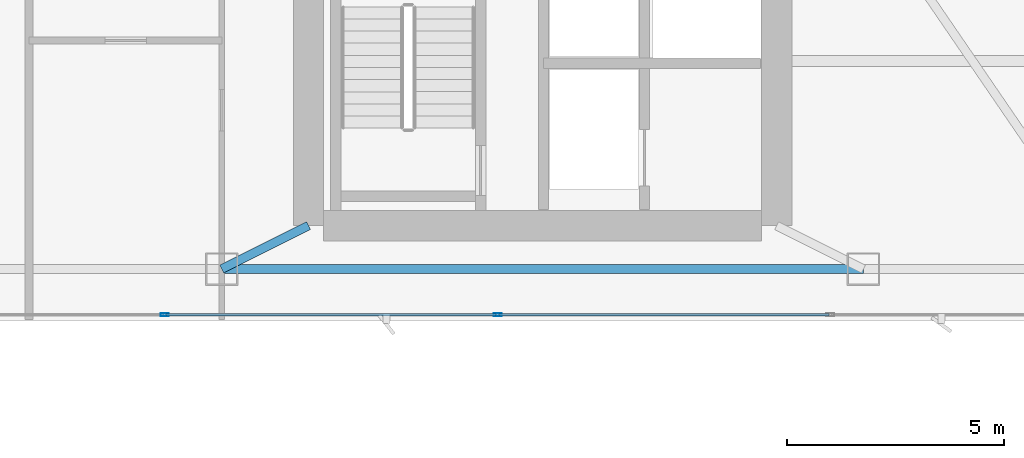
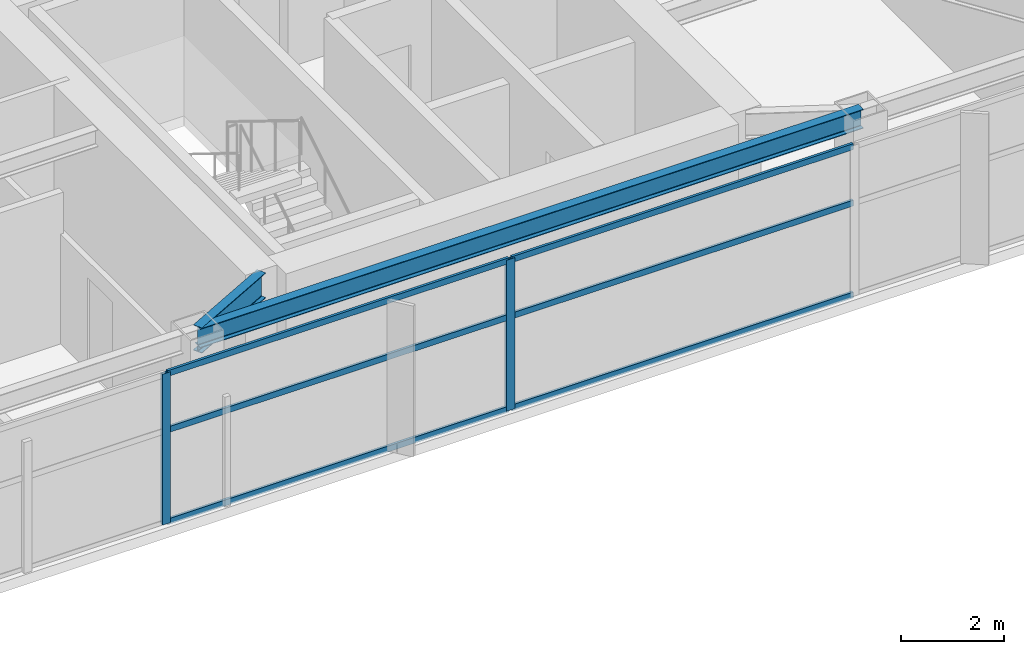
# One storey, part 6 of 29: 8 members, 2 beams, 1 element without a shape of its own.
"""IFC4 building model written with IfcOpenShell, lengths in metres."""

import ifcopenshell
import ifcopenshell.guid

model = None  # the IFC model being written
_history = None  # IfcOwnerHistory: only IFC2X3 demands one
_inside = {}  # id of a spatial element -> (the spatial element, [elements in it])
_under = {}  # id of a project, library or spatial element -> (it, [spatial elements below it])
_declared = {}  # id of a project -> (the project, [libraries it declares])
_typed = {}  # id of a type object -> (the type object, [elements of that type])
_made_of = {}  # id of a material, layer set ... -> (it, [elements and type objects made of it])


def new_model(schema):
    """Start an empty IFC model of exactly this schema.

    Asked for "IFC4X3", IfcOpenShell would pick the latest addendum, in which some entities
    have other attributes; the version numbers below select the first issue.
    IFC2X3 requires an IfcOwnerHistory on every rooted entity: one is made here for all.
    """
    global model, _history
    if schema == "IFC4X3":
        model = ifcopenshell.file(schema_version=(4, 3, 0, 0))
    else:
        model = ifcopenshell.file(schema=schema)
    _inside.clear()
    _under.clear()
    _declared.clear()
    _typed.clear()
    _made_of.clear()
    _history = None
    if model.schema == "IFC2X3":
        org = make("IfcOrganization", Name="unknown")
        user = make(
            "IfcPersonAndOrganization",
            ThePerson=make("IfcPerson", FamilyName="unknown"),
            TheOrganization=org,
        )
        app = make(
            "IfcApplication",
            ApplicationDeveloper=org,
            Version="unknown",
            ApplicationFullName="unknown",
            ApplicationIdentifier="unknown",
        )
        _history = make(
            "IfcOwnerHistory",
            OwningUser=user,
            OwningApplication=app,
            ChangeAction="ADDED",
            CreationDate=0,
        )
    return model


def make(cls, **values):
    """One entity of the class cls with the attributes given. An attribute that is None is left unset."""
    return model.create_entity(
        cls, **{name: value for name, value in values.items() if value is not None}
    )


def rooted(cls, **values):
    """An entity with a GlobalId (a new one), such as an element, a storey or a relation."""
    return make(cls, GlobalId=ifcopenshell.guid.new(), OwnerHistory=_history, **values)


def si_unit(unit_type, name, prefix=None):
    """IfcSIUnit, for example si_unit("LENGTHUNIT", "METRE", prefix="MILLI")."""
    return make("IfcSIUnit", UnitType=unit_type, Prefix=prefix, Name=name)


def assignment(units):
    """IfcUnitAssignment: the units of a project."""
    return None if units is None else make("IfcUnitAssignment", Units=units)


def point(xyz):
    """IfcCartesianPoint."""
    return None if xyz is None else make("IfcCartesianPoint", Coordinates=xyz)


def direction(xyz):
    """IfcDirection."""
    return None if xyz is None else make("IfcDirection", DirectionRatios=xyz)


def frame(location, z_axis=None, x_axis=None):
    """IfcAxis2Placement3D, a coordinate frame: its origin and axes. An axis left out is left unset."""
    return make(
        "IfcAxis2Placement3D",
        Location=point(location),
        Axis=direction(z_axis),
        RefDirection=direction(x_axis),
    )


def frame_2d(location, x_axis=None):
    """IfcAxis2Placement2D, a coordinate frame in the plane: its origin and x axis."""
    return make(
        "IfcAxis2Placement2D", Location=point(location), RefDirection=direction(x_axis)
    )


def origin():
    """The frame at (0, 0, 0) with its axes left unset."""
    return frame((0.0, 0.0, 0.0))


def origin_2d():
    """The frame at (0, 0) in the plane with its x axis left unset."""
    return frame_2d((0.0, 0.0))


def place(relative_to, where):
    """IfcLocalPlacement: puts the frame where relative to a parent placement (None: the world)."""
    return make(
        "IfcLocalPlacement", PlacementRelTo=relative_to, RelativePlacement=where
    )


def context(
    kind, dimensions, precision=None, world=None, true_north=None, identifier=None
):
    """IfcGeometricRepresentationContext, for example the 3D "Model" context."""
    return make(
        "IfcGeometricRepresentationContext",
        ContextIdentifier=identifier,
        ContextType=kind,
        CoordinateSpaceDimension=dimensions,
        Precision=precision,
        WorldCoordinateSystem=world,
        TrueNorth=true_north,
    )


def subcontext(parent, identifier, kind, view, scale=None):
    """IfcGeometricRepresentationSubContext, for example "Body" below "Model"."""
    return make(
        "IfcGeometricRepresentationSubContext",
        ContextIdentifier=identifier,
        ContextType=kind,
        ParentContext=parent,
        TargetScale=scale,
        TargetView=view,
    )


def project(units=None, contexts=None):
    """IfcProject with its units and contexts."""
    return rooted(
        "IfcProject",
        Name="project",
        RepresentationContexts=contexts,
        UnitsInContext=assignment(units),
    )


def spatial(cls, under=None, at=None, **own):
    """A site, building, storey or space (cls), placed at a placement, below another one or the project."""
    s = rooted(cls, ObjectPlacement=at, **own)
    if under is not None:
        _under.setdefault(under.id(), (under, []))[1].append(s)
    return s


def profile(cls, at=None, kind="AREA", **sizes):
    """A parametric profile (cls). Its sizes go by their IFC names, for example OverallWidth=200.0."""
    return make(cls, ProfileType=kind, Position=at, **sizes)


def hollow_rectangle(**sizes):
    """IfcRectangleHollowProfileDef."""
    return profile("IfcRectangleHollowProfileDef", **sizes)


def i_section(**sizes):
    """IfcIShapeProfileDef."""
    return profile("IfcIShapeProfileDef", **sizes)


def extrude(swept, where, along, depth):
    """IfcExtrudedAreaSolid: the profile swept, set in the frame where, extruded along a direction by depth."""
    return make(
        "IfcExtrudedAreaSolid",
        SweptArea=swept,
        Position=where,
        ExtrudedDirection=direction(along),
        Depth=depth,
    )


def shape(context_of_items, identifier, shape_type, items):
    """IfcShapeRepresentation: the items that make up one representation, for example the "Body"."""
    return make(
        "IfcShapeRepresentation",
        ContextOfItems=context_of_items,
        RepresentationIdentifier=identifier,
        RepresentationType=shape_type,
        Items=items,
    )


def material(Name=None, Category=None):
    """IfcMaterial."""
    return make("IfcMaterial", Name=Name, Category=Category)


def layer(
    of_material, thickness, ventilated=None, Name=None, Category=None, Priority=None
):
    """IfcMaterialLayer: one layer of a wall or slab, of a material (None: an air gap)."""
    return make(
        "IfcMaterialLayer",
        Material=of_material,
        LayerThickness=thickness,
        IsVentilated=ventilated,
        Name=Name,
        Category=Category,
        Priority=Priority,
    )


def layer_set(layers, Name=None):
    """IfcMaterialLayerSet."""
    return make("IfcMaterialLayerSet", MaterialLayers=layers, LayerSetName=Name)


def material_profile(
    of_material, cross_section, Name=None, Category=None, Priority=None
):
    """IfcMaterialProfile: a cross section and its material."""
    return make(
        "IfcMaterialProfile",
        Name=Name,
        Material=of_material,
        Profile=cross_section,
        Priority=Priority,
        Category=Category,
    )


def profile_set(profiles, Name=None, composite=None):
    """IfcMaterialProfileSet."""
    return make(
        "IfcMaterialProfileSet",
        Name=Name,
        MaterialProfiles=profiles,
        CompositeProfile=composite,
    )


def made_of(thing, what):
    """Note that an element or type object is made of a material, layer set ...; save() writes the relation."""
    if what is not None:
        _made_of.setdefault(what.id(), (what, []))[1].append(thing)
    return thing


def type_object(cls, material=None, **own):
    """A type object (cls), such as IfcWallType, which elements share."""
    return made_of(rooted(cls, **own), material)


def element(
    cls,
    number,
    at=None,
    inside=None,
    cuts=None,
    type_object=None,
    material=None,
    context=None,
    identifier="Body",
    shape_type=None,
    held_by="IfcProductDefinitionShape",
    body=None,
    shapes=None,
    **own,
):
    """One element of the class cls, such as IfcWall. Its Tag is "e" and its number.

    at: its placement. inside: the storey or other place that contains it. cuts: it is an
    opening in that element (IfcRelVoidsElement). A single representation is given by context,
    identifier, shape_type and body (its items); several are given by shapes. held_by: the class
    of the entity that holds the representations. save() writes the other relations.
    """
    e = rooted(cls, Tag="e%d" % number, ObjectPlacement=at, **own)
    if body is not None:
        shapes = [shape(context, identifier, shape_type, body)]
    if shapes is not None:
        e.Representation = make(held_by, Representations=shapes)
    if inside is not None:
        _inside.setdefault(inside.id(), (inside, []))[1].append(e)
    if cuts is not None:
        rooted(
            "IfcRelVoidsElement", RelatingBuildingElement=cuts, RelatedOpeningElement=e
        )
    if type_object is not None:
        _typed.setdefault(type_object.id(), (type_object, []))[1].append(e)
    return made_of(e, material)


def aggregate(whole, parts):
    """IfcRelAggregates: a whole, such as a stair, and the parts it consists of."""
    return rooted("IfcRelAggregates", RelatingObject=whole, RelatedObjects=parts)


def save(model, path):
    """Write the relations noted so far, then the file.

    IfcRelAggregates (storeys below a building ...), IfcRelContainedInSpatialStructure (elements
    in a storey), IfcRelDefinesByType, IfcRelAssociatesMaterial and IfcRelDeclares: one each for
    every whole, place, type object, material and project.
    """
    for whole, parts in _under.values():
        aggregate(whole, parts)
    for where, things in _inside.values():
        rooted(
            "IfcRelContainedInSpatialStructure",
            RelatedElements=things,
            RelatingStructure=where,
        )
    for kind, things in _typed.values():
        rooted("IfcRelDefinesByType", RelatedObjects=things, RelatingType=kind)
    for what, things in _made_of.values():
        rooted("IfcRelAssociatesMaterial", RelatedObjects=things, RelatingMaterial=what)
    for by, libraries in _declared.values():
        rooted("IfcRelDeclares", RelatingContext=by, RelatedDefinitions=libraries)
    model.write(path)


model = new_model("IFC4")

# Units and contexts
model_context = context("Model", 3, precision=1e-05, world=origin(), true_north=direction((0.0, 1.0)))
body_context = subcontext(model_context, "Body", "Model", "MODEL_VIEW")
ifc_project = project(units=[si_unit("LENGTHUNIT", "METRE"), si_unit("AREAUNIT", "SQUARE_METRE"), si_unit("VOLUMEUNIT", "CUBIC_METRE"), si_unit("PLANEANGLEUNIT", "RADIAN"), si_unit("MASSUNIT", "GRAM", prefix="KILO")], contexts=[model_context])

# Site, building, storey
site_placement = place(None, origin())
site = spatial("IfcSite", under=ifc_project, at=site_placement, CompositionType="ELEMENT")
building_placement = place(site_placement, origin())
building = spatial("IfcBuilding", under=site, at=building_placement, Name="Calvorn Quay Hotel", CompositionType="ELEMENT")
storey_placement = place(building_placement, frame((0.0, 0.0, 211.0)))
storey = spatial("IfcBuildingStorey", under=building, at=storey_placement, Name="L52", CompositionType="ELEMENT", Elevation=211.0)

# Beams
ifc_material_1 = material(Name="Steel Q355B", Category="steel")
ifc_material_profile_1 = material_profile(ifc_material_1, i_section(OverallWidth=0.199951171875, OverallDepth=0.60009765625, WebThickness=0.010986328125, FlangeThickness=0.01708984375, FilletRadius=0.01806640625, at=origin_2d()), Name="HN600x200x11x17")
ifc_profile_set_1 = profile_set([ifc_material_profile_1], Name="Steel Q355B")
beam_type_1 = type_object("IfcBeamType", Name="BM-GIRD-TYP", PredefinedType="BEAM", material=ifc_profile_set_1)
beam_1_placement = place(storey_placement, frame((19.60009765625, 3.60009765625, 3.239990234375), z_axis=(0.894427191, 0.4472135955, 0.0), x_axis=(-0.4472135955, 0.894427191, 0.0)))
element("IfcBeam", 1, at=beam_1_placement, inside=storey, type_object=beam_type_1, Name="Beam BG-L52-S2", PredefinedType="BEAM", context=body_context, shape_type="SweptSolid", body=[
    extrude(i_section(OverallWidth=0.199951171875, OverallDepth=0.60009765625, WebThickness=0.010986328125, FlangeThickness=0.01708984375, FilletRadius=0.01806640625, at=origin_2d()), origin(), (0.0, 0.0, 1.0), 2.236083984375),
])
ifc_material_2 = material(Name="Steel Q355B", Category="steel")
ifc_material_profile_2 = material_profile(ifc_material_2, i_section(OverallWidth=0.199951171875, OverallDepth=0.449951171875, WebThickness=0.009033203125, FlangeThickness=0.013916015625, FilletRadius=0.01611328125, at=origin_2d()), Name="HN450x200x9x14")
ifc_profile_set_2 = profile_set([ifc_material_profile_2], Name="Steel Q355B")
beam_type_2 = type_object("IfcBeamType", Name="BM-SPANDREL-Z3", PredefinedType="SPANDREL", material=ifc_profile_set_2)
beam_2_placement = place(storey_placement, frame((19.60009765625, 3.60009765625, 3.31494140625), z_axis=(1.0, 0.0, 0.0), x_axis=(0.0, 1.0, 0.0)))
element("IfcBeam", 2, at=beam_2_placement, inside=storey, type_object=beam_type_2, Name="Beam BSP-L52-S3", PredefinedType="SPANDREL", context=body_context, shape_type="SweptSolid", body=[
    extrude(i_section(OverallWidth=0.199951171875, OverallDepth=0.449951171875, WebThickness=0.009033203125, FlangeThickness=0.013916015625, FilletRadius=0.01611328125, at=origin_2d()), origin(), (0.0, 0.0, 1.0), 14.7998046875),
])

# Curtain wall, members
ifc_material_3 = material(Name="Champagne Bronze Anodised Aluminium and Low-E Glass", Category="aluminium")
ifc_layer = layer(ifc_material_3, 0.219970703125)
ifc_layer_set = layer_set([ifc_layer], Name="CW-SYS-Z3")
curtain_wall_type = type_object("IfcCurtainWallType", Name="CW-SYS-Z3", PredefinedType="NOTDEFINED", material=ifc_layer_set)
curtain_wall_placement = place(storey_placement, origin())
curtain_wall = element("IfcCurtainWall", 3, at=curtain_wall_placement, inside=storey, type_object=curtain_wall_type, Name="Tower South Waterfront Curtain Wall (L52)", PredefinedType="NOTDEFINED")
ifc_material_4 = material(Name="Champagne Bronze Anodised Aluminium 6063-T6", Category="aluminium")
ifc_material_profile_3 = material_profile(ifc_material_4, hollow_rectangle(XDim=0.068115234375, YDim=0.18505859375, WallThickness=0.00390625, at=origin_2d()), Name="ALU-M185x68x4")
ifc_profile_set_3 = profile_set([ifc_material_profile_3], Name="Champagne Bronze Anodised Aluminium 6063-T6")
member_type_1 = type_object("IfcMemberType", Name="CW-SYS-Z3-MUL", PredefinedType="MULLION", material=ifc_profile_set_3)
member_1_placement = place(storey_placement, frame((18.280029296875, 2.550048828125, 0.0), z_axis=(0.0, 0.0, 1.0), x_axis=(0.0, 1.0, 0.0)))
member_1 = element("IfcMember", 4, at=member_1_placement, type_object=member_type_1, Name="CW-L52-S mullion 2", PredefinedType="MULLION", context=body_context, shape_type="SweptSolid", body=[
    extrude(hollow_rectangle(XDim=0.068115234375, YDim=0.18505859375, WallThickness=0.00390625, at=origin_2d()), origin(), (0.0, 0.0, 1.0), 3.56005859375),
])
member_2_placement = place(storey_placement, frame((25.9599609375, 2.550048828125, 0.0), z_axis=(0.0, 0.0, 1.0), x_axis=(0.0, 1.0, 0.0)))
member_2 = element("IfcMember", 5, at=member_2_placement, type_object=member_type_1, Name="CW-L52-S mullion 3", PredefinedType="MULLION", context=body_context, shape_type="SweptSolid", body=[
    extrude(hollow_rectangle(XDim=0.068115234375, YDim=0.18505859375, WallThickness=0.00390625, at=origin_2d()), origin(), (0.0, 0.0, 1.0), 3.56005859375),
])
ifc_material_5 = material(Name="Champagne Bronze Anodised Aluminium 6063-T6", Category="aluminium")
ifc_material_profile_4 = material_profile(ifc_material_5, hollow_rectangle(XDim=0.05810546875, YDim=0.139892578125, WallThickness=0.003173828125, at=origin_2d()), Name="ALU-T140x58x3.2")
ifc_profile_set_4 = profile_set([ifc_material_profile_4], Name="Champagne Bronze Anodised Aluminium 6063-T6")
member_type_2 = type_object("IfcMemberType", Name="CW-SYS-Z3-TRN", PredefinedType="USERDEFINED", material=ifc_profile_set_4)
member_3_placement = place(storey_placement, frame((18.31005859375, 2.550048828125, 0.030029296875), z_axis=(1.0, 0.0, 0.0), x_axis=(0.0, 1.0, 0.0)))
member_3 = element("IfcMember", 6, at=member_3_placement, type_object=member_type_2, Name="CW-L52-S transom 2.1", ObjectType="TRANSOM", PredefinedType="USERDEFINED", context=body_context, shape_type="SweptSolid", body=[
    extrude(hollow_rectangle(XDim=0.05810546875, YDim=0.139892578125, WallThickness=0.003173828125, at=origin_2d()), origin(), (0.0, 0.0, 1.0), 7.619873046875),
])
member_4_placement = place(storey_placement, frame((18.31005859375, 2.550048828125, 2.199951171875), z_axis=(1.0, 0.0, 0.0), x_axis=(0.0, 1.0, 0.0)))
member_4 = element("IfcMember", 7, at=member_4_placement, type_object=member_type_2, Name="CW-L52-S transom 2.2", ObjectType="TRANSOM", PredefinedType="USERDEFINED", context=body_context, shape_type="SweptSolid", body=[
    extrude(hollow_rectangle(XDim=0.05810546875, YDim=0.139892578125, WallThickness=0.003173828125, at=origin_2d()), origin(), (0.0, 0.0, 1.0), 7.619873046875),
])
member_5_placement = place(storey_placement, frame((18.31005859375, 2.550048828125, 3.530029296875), z_axis=(1.0, 0.0, 0.0), x_axis=(0.0, 1.0, 0.0)))
member_5 = element("IfcMember", 8, at=member_5_placement, type_object=member_type_2, Name="CW-L52-S transom 2.3", ObjectType="TRANSOM", PredefinedType="USERDEFINED", context=body_context, shape_type="SweptSolid", body=[
    extrude(hollow_rectangle(XDim=0.05810546875, YDim=0.139892578125, WallThickness=0.003173828125, at=origin_2d()), origin(), (0.0, 0.0, 1.0), 7.619873046875),
])
member_6_placement = place(storey_placement, frame((25.989990234375, 2.550048828125, 0.030029296875), z_axis=(1.0, 0.0, 0.0), x_axis=(0.0, 1.0, 0.0)))
member_6 = element("IfcMember", 9, at=member_6_placement, type_object=member_type_2, Name="CW-L52-S transom 3.1", ObjectType="TRANSOM", PredefinedType="USERDEFINED", context=body_context, shape_type="SweptSolid", body=[
    extrude(hollow_rectangle(XDim=0.05810546875, YDim=0.139892578125, WallThickness=0.003173828125, at=origin_2d()), origin(), (0.0, 0.0, 1.0), 7.6201171875),
])
member_7_placement = place(storey_placement, frame((25.989990234375, 2.550048828125, 2.199951171875), z_axis=(1.0, 0.0, 0.0), x_axis=(0.0, 1.0, 0.0)))
member_7 = element("IfcMember", 10, at=member_7_placement, type_object=member_type_2, Name="CW-L52-S transom 3.2", ObjectType="TRANSOM", PredefinedType="USERDEFINED", context=body_context, shape_type="SweptSolid", body=[
    extrude(hollow_rectangle(XDim=0.05810546875, YDim=0.139892578125, WallThickness=0.003173828125, at=origin_2d()), origin(), (0.0, 0.0, 1.0), 7.6201171875),
])
member_8_placement = place(storey_placement, frame((25.989990234375, 2.550048828125, 3.530029296875), z_axis=(1.0, 0.0, 0.0), x_axis=(0.0, 1.0, 0.0)))
member_8 = element("IfcMember", 11, at=member_8_placement, type_object=member_type_2, Name="CW-L52-S transom 3.3", ObjectType="TRANSOM", PredefinedType="USERDEFINED", context=body_context, shape_type="SweptSolid", body=[
    extrude(hollow_rectangle(XDim=0.05810546875, YDim=0.139892578125, WallThickness=0.003173828125, at=origin_2d()), origin(), (0.0, 0.0, 1.0), 7.6201171875),
])
aggregate(curtain_wall, [member_1, member_2, member_3, member_4, member_5, member_6, member_7, member_8])

save(model, "model.ifc")
